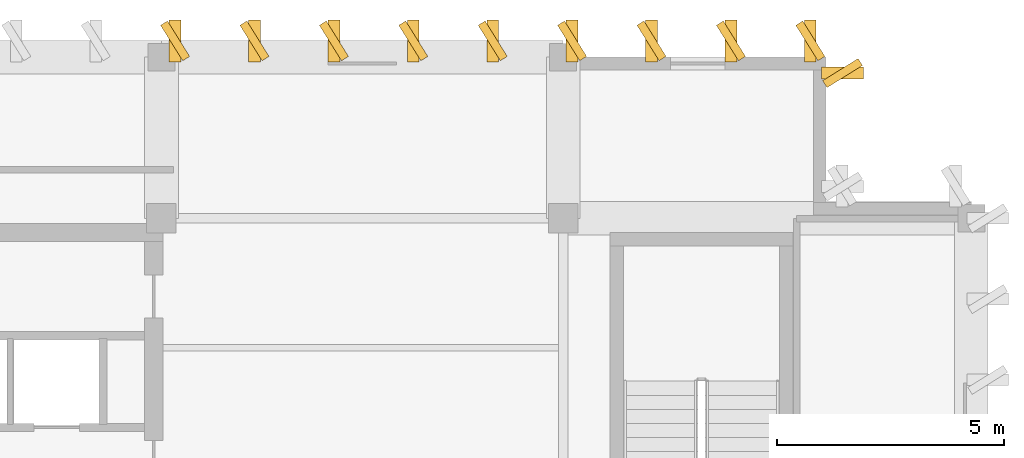
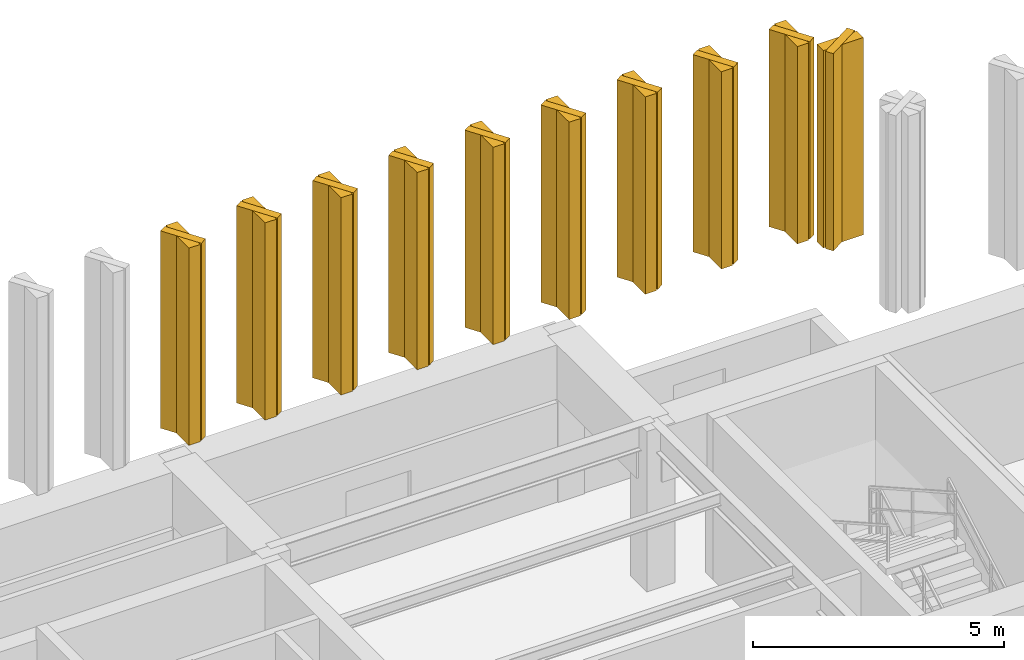
# One storey, part 11 of 11: 10 coverings, 10 shading devices.
"""IFC4 building model written with IfcOpenShell, lengths in metres."""

from ifc_helpers import new_model, si_unit, direction, frame, origin, origin_2d, place, context, subcontext, project, spatial, polyline, rectangle, outline, extrude, material, layer, layer_set, type_object, element, save


model = new_model("IFC4")

# Units and contexts
model_context = context("Model", 3, precision=1e-05, world=origin(), true_north=direction((0.0, 1.0)))
body_context = subcontext(model_context, "Body", "Model", "MODEL_VIEW")
ifc_project = project(units=[si_unit("LENGTHUNIT", "METRE"), si_unit("AREAUNIT", "SQUARE_METRE"), si_unit("VOLUMEUNIT", "CUBIC_METRE"), si_unit("PLANEANGLEUNIT", "RADIAN"), si_unit("MASSUNIT", "GRAM", prefix="KILO")], contexts=[model_context])

# Site, building, storey
site_placement = place(None, origin())
site = spatial("IfcSite", under=ifc_project, at=site_placement, CompositionType="ELEMENT")
building_placement = place(site_placement, origin())
building = spatial("IfcBuilding", under=site, at=building_placement, Name="Kundavana Baori Tower", CompositionType="ELEMENT")
storey_placement = place(building_placement, frame((0.0, 0.0, 350.5)))
storey = spatial("IfcBuildingStorey", under=building, at=storey_placement, Name="L87", CompositionType="ELEMENT", Elevation=350.5)

# Coverings
ifc_material_1 = material(Name="Cream-White Makrana Limestone on Concrete C40/50", Category="masonry")
ifc_layer = layer(ifc_material_1, 0.239990234375, Name="COV-SAIL-FIN")
ifc_layer_set = layer_set([ifc_layer], Name="Cream-White Makrana Limestone on Concrete C40/50")
covering_type = type_object("IfcCoveringType", Name="COV-SAIL-FIN", PredefinedType="CLADDING", material=ifc_layer_set)
covering_1_placement = place(storey_placement, frame((0.0, 0.0, 4.199951171875)))
element("IfcCovering", 1, at=covering_1_placement, inside=storey, type_object=covering_type, Name="L87 Climbing Makrana White Limestone Sail Fin 039", PredefinedType="CLADDING", context=body_context, shape_type="SweptSolid", body=[
    extrude(outline(polyline([(39.5, 45.02001953125), (40.419921875, 45.02001953125), (40.419921875, 45.280029296875), (39.5, 45.280029296875), (39.5, 45.02001953125)])), origin(), (0.0, 0.0, 1.0), 4.800048828125),
])
covering_2_placement = place(storey_placement, frame((0.0, 0.0, 4.199951171875)))
element("IfcCovering", 2, at=covering_2_placement, inside=storey, type_object=covering_type, Name="L87 Climbing Makrana White Limestone Sail Fin 040", PredefinedType="CLADDING", context=body_context, shape_type="SweptSolid", body=[
    extrude(outline(polyline([(39.1201171875, 45.39990234375), (39.3798828125, 45.39990234375), (39.3798828125, 46.320068359375), (39.1201171875, 46.320068359375), (39.1201171875, 45.39990234375)])), origin(), (0.0, 0.0, 1.0), 4.800048828125),
])
covering_3_placement = place(storey_placement, frame((0.0, 0.0, 4.199951171875)))
element("IfcCovering", 3, at=covering_3_placement, inside=storey, type_object=covering_type, Name="L87 Climbing Makrana White Limestone Sail Fin 041", PredefinedType="CLADDING", context=body_context, shape_type="SweptSolid", body=[
    extrude(outline(polyline([(37.3701171875, 45.39990234375), (37.6298828125, 45.39990234375), (37.6298828125, 46.320068359375), (37.3701171875, 46.320068359375), (37.3701171875, 45.39990234375)])), origin(), (0.0, 0.0, 1.0), 4.800048828125),
])
covering_4_placement = place(storey_placement, frame((0.0, 0.0, 4.199951171875)))
element("IfcCovering", 4, at=covering_4_placement, inside=storey, type_object=covering_type, Name="L87 Climbing Makrana White Limestone Sail Fin 042", PredefinedType="CLADDING", context=body_context, shape_type="SweptSolid", body=[
    extrude(outline(polyline([(35.6201171875, 45.39990234375), (35.8798828125, 45.39990234375), (35.8798828125, 46.320068359375), (35.6201171875, 46.320068359375), (35.6201171875, 45.39990234375)])), origin(), (0.0, 0.0, 1.0), 4.800048828125),
])
covering_5_placement = place(storey_placement, frame((0.0, 0.0, 4.199951171875)))
element("IfcCovering", 5, at=covering_5_placement, inside=storey, type_object=covering_type, Name="L87 Climbing Makrana White Limestone Sail Fin 043", PredefinedType="CLADDING", context=body_context, shape_type="SweptSolid", body=[
    extrude(outline(polyline([(33.8701171875, 45.39990234375), (34.1298828125, 45.39990234375), (34.1298828125, 46.320068359375), (33.8701171875, 46.320068359375), (33.8701171875, 45.39990234375)])), origin(), (0.0, 0.0, 1.0), 4.800048828125),
])
covering_6_placement = place(storey_placement, frame((0.0, 0.0, 4.199951171875)))
element("IfcCovering", 6, at=covering_6_placement, inside=storey, type_object=covering_type, Name="L87 Climbing Makrana White Limestone Sail Fin 044", PredefinedType="CLADDING", context=body_context, shape_type="SweptSolid", body=[
    extrude(outline(polyline([(32.1201171875, 45.39990234375), (32.3798828125, 45.39990234375), (32.3798828125, 46.320068359375), (32.1201171875, 46.320068359375), (32.1201171875, 45.39990234375)])), origin(), (0.0, 0.0, 1.0), 4.800048828125),
])
covering_7_placement = place(storey_placement, frame((0.0, 0.0, 4.199951171875)))
element("IfcCovering", 7, at=covering_7_placement, inside=storey, type_object=covering_type, Name="L87 Climbing Makrana White Limestone Sail Fin 045", PredefinedType="CLADDING", context=body_context, shape_type="SweptSolid", body=[
    extrude(outline(polyline([(30.3701171875, 45.39990234375), (30.6298828125, 45.39990234375), (30.6298828125, 46.320068359375), (30.3701171875, 46.320068359375), (30.3701171875, 45.39990234375)])), origin(), (0.0, 0.0, 1.0), 4.800048828125),
])
covering_8_placement = place(storey_placement, frame((0.0, 0.0, 4.199951171875)))
element("IfcCovering", 8, at=covering_8_placement, inside=storey, type_object=covering_type, Name="L87 Climbing Makrana White Limestone Sail Fin 046", PredefinedType="CLADDING", context=body_context, shape_type="SweptSolid", body=[
    extrude(outline(polyline([(28.6201171875, 45.39990234375), (28.8798828125, 45.39990234375), (28.8798828125, 46.320068359375), (28.6201171875, 46.320068359375), (28.6201171875, 45.39990234375)])), origin(), (0.0, 0.0, 1.0), 4.800048828125),
])
covering_9_placement = place(storey_placement, frame((0.0, 0.0, 4.199951171875)))
element("IfcCovering", 9, at=covering_9_placement, inside=storey, type_object=covering_type, Name="L87 Climbing Makrana White Limestone Sail Fin 047", PredefinedType="CLADDING", context=body_context, shape_type="SweptSolid", body=[
    extrude(outline(polyline([(26.8701171875, 45.39990234375), (27.1298828125, 45.39990234375), (27.1298828125, 46.320068359375), (26.8701171875, 46.320068359375), (26.8701171875, 45.39990234375)])), origin(), (0.0, 0.0, 1.0), 4.800048828125),
])
covering_10_placement = place(storey_placement, frame((0.0, 0.0, 4.199951171875)))
element("IfcCovering", 10, at=covering_10_placement, inside=storey, type_object=covering_type, Name="L87 Climbing Makrana White Limestone Sail Fin 048", PredefinedType="CLADDING", context=body_context, shape_type="SweptSolid", body=[
    extrude(outline(polyline([(25.1201171875, 45.39990234375), (25.3798828125, 45.39990234375), (25.3798828125, 46.320068359375), (25.1201171875, 46.320068359375), (25.1201171875, 45.39990234375)])), origin(), (0.0, 0.0, 1.0), 4.800048828125),
])

# Shading devices
ifc_material_2 = material(Name="Red-Buff Dholpur Sandstone Cladding on Concrete C40/50", Category="masonry")
shading_device_type = type_object("IfcShadingDeviceType", Name="SHD-FIN-920", PredefinedType="JALOUSIE", material=ifc_material_2)
for number, where, z_axis, x_axis, name in (
    (11, (39.9599609375, 45.14990234375, 4.2001953125), (0.0, 0.0, 1.0), (-0.529919264233, 0.848048096156, 0.0), "L87 Sweeping Makrana Limestone Crown Sail Blade 039"),
    (12, (39.25, 45.860107421875, 4.2001953125), (0.0, 0.0, 1.0), (0.848048096156, 0.529919264233, 0.0), "L87 Sweeping Makrana Limestone Crown Sail Blade 040"),
    (13, (37.5, 45.860107421875, 4.2001953125), (0.0, 0.0, 1.0), (0.848048096156, 0.529919264233, 0.0), "L87 Sweeping Makrana Limestone Crown Sail Blade 041"),
    (14, (35.75, 45.860107421875, 4.2001953125), (0.0, 0.0, 1.0), (0.848048096156, 0.529919264233, 0.0), "L87 Sweeping Makrana Limestone Crown Sail Blade 042"),
    (15, (34.0, 45.860107421875, 4.2001953125), (0.0, 0.0, 1.0), (0.848048096156, 0.529919264233, 0.0), "L87 Sweeping Makrana Limestone Crown Sail Blade 043"),
    (16, (32.25, 45.860107421875, 4.2001953125), (0.0, 0.0, 1.0), (0.848048096156, 0.529919264233, 0.0), "L87 Sweeping Makrana Limestone Crown Sail Blade 044"),
    (17, (30.5, 45.860107421875, 4.2001953125), (0.0, 0.0, 1.0), (0.848048096156, 0.529919264233, 0.0), "L87 Sweeping Makrana Limestone Crown Sail Blade 045"),
    (18, (28.75, 45.860107421875, 4.2001953125), (0.0, 0.0, 1.0), (0.848048096156, 0.529919264233, 0.0), "L87 Sweeping Makrana Limestone Crown Sail Blade 046"),
    (19, (27.0, 45.860107421875, 4.2001953125), (0.0, 0.0, 1.0), (0.848048096156, 0.529919264233, 0.0), "L87 Sweeping Makrana Limestone Crown Sail Blade 047"),
    (20, (25.25, 45.860107421875, 4.2001953125), (0.0, 0.0, 1.0), (0.848048096156, 0.529919264233, 0.0), "L87 Sweeping Makrana Limestone Crown Sail Blade 048"),
):
    element("IfcShadingDevice", number, at=place(storey_placement, frame(where, z_axis=z_axis, x_axis=x_axis)), inside=storey, type_object=shading_device_type, Name=name, PredefinedType="JALOUSIE", context=body_context, shape_type="SweptSolid", body=[
        extrude(rectangle(XDim=0.179931640625, YDim=0.919921875, at=origin_2d()), origin(), (0.0, 0.0, 1.0), 4.800048828125),
    ])

save(model, "model.ifc")
